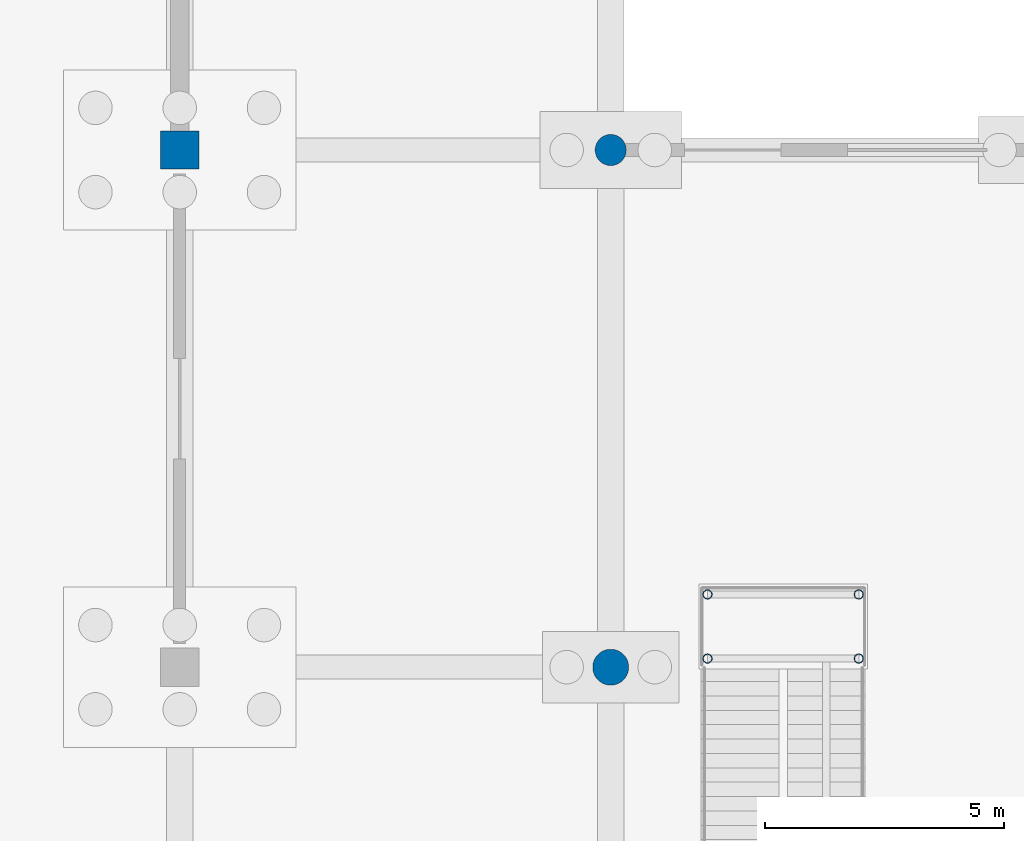
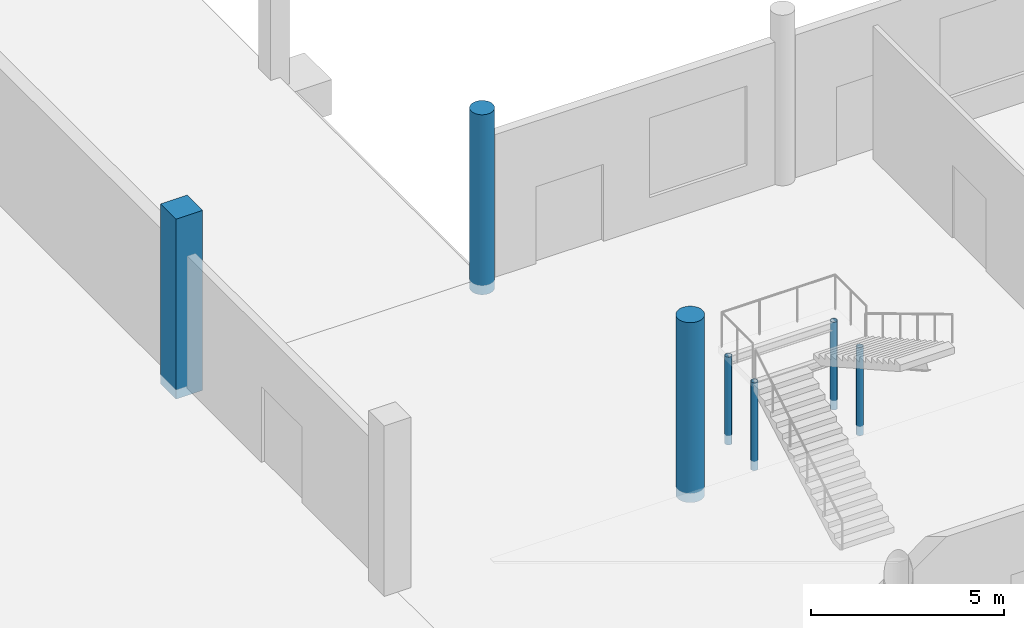
# One storey, part 19 of 109: 7 columns.
"""IFC4 building model written with IfcOpenShell, lengths in metres."""

from ifc_helpers import new_model, si_unit, direction, frame, origin, origin_2d, place, context, subcontext, project, spatial, rectangle, circle, hollow_circle, extrude, material, material_profile, profile_set, type_object, element, save


model = new_model("IFC4")

# Units and contexts
model_context = context("Model", 3, precision=1e-05, world=origin(), true_north=direction((0.0, 1.0)))
body_context = subcontext(model_context, "Body", "Model", "MODEL_VIEW")
ifc_project = project(units=[si_unit("LENGTHUNIT", "METRE"), si_unit("AREAUNIT", "SQUARE_METRE"), si_unit("VOLUMEUNIT", "CUBIC_METRE"), si_unit("PLANEANGLEUNIT", "RADIAN"), si_unit("MASSUNIT", "GRAM", prefix="KILO")], contexts=[model_context])

# Site, building, storey
site_placement = place(None, origin())
site = spatial("IfcSite", under=ifc_project, at=site_placement, CompositionType="ELEMENT")
building_placement = place(site_placement, origin())
building = spatial("IfcBuilding", under=site, at=building_placement, Name="Lusvemor Sports Hall", CompositionType="ELEMENT")
storey_placement = place(building_placement, origin())
storey = spatial("IfcBuildingStorey", under=building, at=storey_placement, Name="L00", CompositionType="ELEMENT", Elevation=0.0)

# Columns
ifc_material_1 = material(Name="Concrete C40/50", Category="concrete")
ifc_material_profile_1 = material_profile(ifc_material_1, circle(Radius=0.324951171875, at=origin_2d()), Name="RCCIRC650")
ifc_profile_set_1 = profile_set([ifc_material_profile_1], Name="Concrete C40/50")
column_type_1 = type_object("IfcColumnType", Name="COL_COLONNADE", PredefinedType="COLUMN", material=ifc_profile_set_1)
column_1_placement = place(storey_placement, frame((84.60009765625, 28.800048828125, -0.300048828125), z_axis=(0.0, 0.0, 1.0), x_axis=(1.0, 0.0, 0.0)))
element("IfcColumn", 1, at=column_1_placement, inside=storey, type_object=column_type_1, Name="Column 9/D (L00)", PredefinedType="COLUMN", context=body_context, shape_type="SweptSolid", body=[
    extrude(circle(Radius=0.324951171875, at=origin_2d()), origin(), (0.0, 0.0, 1.0), 5.699951171875),
])
ifc_material_2 = material(Name="Concrete C40/50", Category="concrete")
ifc_material_profile_2 = material_profile(ifc_material_2, circle(Radius=0.375, at=origin_2d()), Name="RCCIRC750")
ifc_profile_set_2 = profile_set([ifc_material_profile_2], Name="Concrete C40/50")
column_type_2 = type_object("IfcColumnType", Name="COL_FOYER_R", PredefinedType="COLUMN", material=ifc_profile_set_2)
column_2_placement = place(storey_placement, frame((84.60009765625, 18.0, -0.300048828125), z_axis=(0.0, 0.0, 1.0), x_axis=(1.0, 0.0, 0.0)))
element("IfcColumn", 2, at=column_2_placement, inside=storey, type_object=column_type_2, Name="Column 9/C (L00)", PredefinedType="COLUMN", context=body_context, shape_type="SweptSolid", body=[
    extrude(circle(Radius=0.375, at=origin_2d()), origin(), (0.0, 0.0, 1.0), 5.699951171875),
])
ifc_material_3 = material(Name="Concrete C40/50", Category="concrete")
ifc_material_profile_3 = material_profile(ifc_material_3, rectangle(XDim=0.800048828125, YDim=0.800048828125, at=origin_2d()), Name="RC800x800")
ifc_profile_set_3 = profile_set([ifc_material_profile_3], Name="Concrete C40/50")
column_type_3 = type_object("IfcColumnType", Name="COL_HALL_W", PredefinedType="COLUMN", material=ifc_profile_set_3)
column_3_placement = place(storey_placement, frame((75.60009765625, 28.800048828125, -0.300048828125), z_axis=(0.0, 0.0, 1.0), x_axis=(1.0, 0.0, 0.0)))
element("IfcColumn", 3, at=column_3_placement, inside=storey, type_object=column_type_3, Name="Column 8/D (L00)", PredefinedType="COLUMN", context=body_context, shape_type="SweptSolid", body=[
    extrude(rectangle(XDim=0.800048828125, YDim=0.800048828125, at=origin_2d()), origin(), (0.0, 0.0, 1.0), 5.699951171875),
])
ifc_material_4 = material(Name="Steel S355", Category="steel")
ifc_material_profile_4 = material_profile(ifc_material_4, hollow_circle(Radius=0.096923828125, WallThickness=0.010009765625, at=origin_2d()), Name="CHS193.7x10.0")
ifc_profile_set_4 = profile_set([ifc_material_profile_4], Name="Steel S355")
column_type_4 = type_object("IfcColumnType", Name="COL_STAIR_POST", PredefinedType="COLUMN", material=ifc_profile_set_4)
for number, where, z_axis, x_axis, name in (
    (4, (86.6201171875, 18.179931640625, -0.300048828125), (0.0, 0.0, 1.0), (1.0, 0.0, 0.0), "Feature Stair STR-FOY-W Post 1"),
    (5, (89.780029296875, 18.179931640625, -0.300048828125), (0.0, 0.0, 1.0), (1.0, 0.0, 0.0), "Feature Stair STR-FOY-W Post 2"),
    (6, (86.6201171875, 19.52001953125, -0.300048828125), (0.0, 0.0, 1.0), (1.0, 0.0, 0.0), "Feature Stair STR-FOY-W Post 3"),
    (7, (89.780029296875, 19.52001953125, -0.300048828125), (0.0, 0.0, 1.0), (1.0, 0.0, 0.0), "Feature Stair STR-FOY-W Post 4"),
):
    element("IfcColumn", number, at=place(storey_placement, frame(where, z_axis=z_axis, x_axis=x_axis)), inside=storey, type_object=column_type_4, Name=name, PredefinedType="COLUMN", context=body_context, shape_type="SweptSolid", body=[
        extrude(hollow_circle(Radius=0.096923828125, WallThickness=0.010009765625, at=origin_2d()), origin(), (0.0, 0.0, 1.0), 2.781982421875),
    ])

save(model, "model.ifc")
